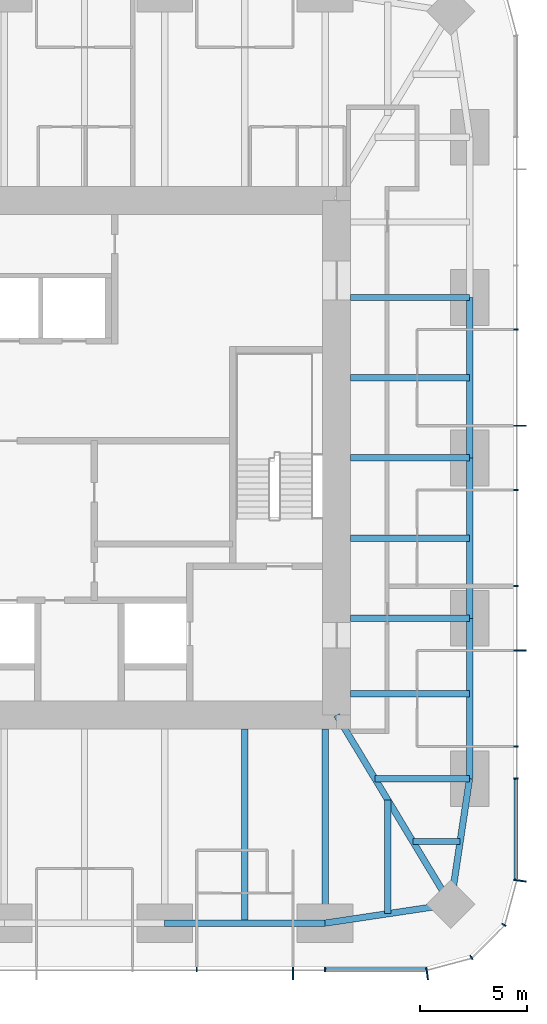
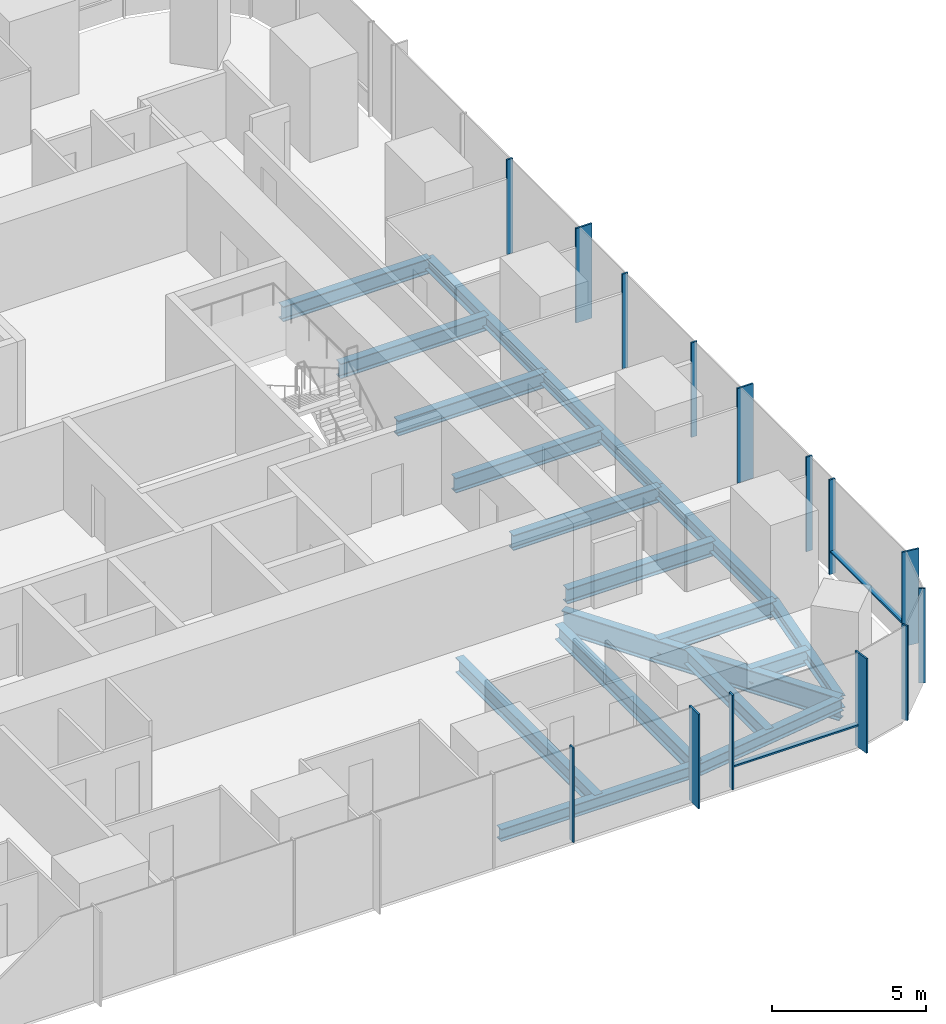
# One storey, part 4 of 12: 18 beams, 16 members, 3 elements without a shape of their own.
"""IFC4 building model written with IfcOpenShell, lengths in metres."""

from ifc_helpers import new_model, si_unit, direction, frame, origin, origin_2d, place, context, subcontext, project, spatial, rectangle, i_section, extrude, material, material_profile, profile_set, type_object, element, aggregate, save


model = new_model("IFC4")

# Units and contexts
model_context = context("Model", 3, precision=1e-05, world=origin(), true_north=direction((0.0, 1.0)))
body_context = subcontext(model_context, "Body", "Model", "MODEL_VIEW")
ifc_project = project(units=[si_unit("LENGTHUNIT", "METRE"), si_unit("AREAUNIT", "SQUARE_METRE"), si_unit("VOLUMEUNIT", "CUBIC_METRE"), si_unit("PLANEANGLEUNIT", "RADIAN"), si_unit("MASSUNIT", "GRAM", prefix="KILO")], contexts=[model_context])

# Site, building, storey
site_placement = place(None, origin())
site = spatial("IfcSite", under=ifc_project, at=site_placement, CompositionType="ELEMENT")
building_placement = place(site_placement, origin())
building = spatial("IfcBuilding", under=site, at=building_placement, Name="Khuree Lantern Residences", CompositionType="ELEMENT")
storey_placement = place(building_placement, frame((0.0, 0.0, 289.5)))
storey = spatial("IfcBuildingStorey", under=building, at=storey_placement, Name="L72", CompositionType="ELEMENT", Elevation=289.5)

# Beams
ifc_material_1 = material(Name="Steel S355", Category="steel")
ifc_material_profile_1 = material_profile(ifc_material_1, i_section(OverallWidth=0.300048828125, OverallDepth=0.590087890625, WebThickness=0.012939453125, FlangeThickness=0.02490234375, FilletRadius=0.027099609375, at=origin_2d()), Name="HE 600 A")
ifc_profile_set_1 = profile_set([ifc_material_profile_1], Name="Steel S355")
beam_type_1 = type_object("IfcBeamType", Name="B-41A SECONDARY BEAM HE 600 A", PredefinedType="BEAM", material=ifc_profile_set_1)
for number, where, z_axis, x_axis, name in (
    (1, (21.699951171875, 3.739990234375, -0.544921875), (-1.0, 0.0, 0.0), (0.0, -1.0, 0.0), "Secondary beam E3"),
    (2, (21.699951171875, -3.739990234375, -0.544921875), (-1.0, 0.0, 0.0), (0.0, -1.0, 0.0), "Secondary beam E4"),
    (3, (21.699951171875, -11.0, -0.544921875), (-1.0, 0.0, 0.0), (0.0, -1.0, 0.0), "Secondary beam E5"),
):
    element("IfcBeam", number, at=place(storey_placement, frame(where, z_axis=z_axis, x_axis=x_axis)), inside=storey, type_object=beam_type_1, Name=name, PredefinedType="BEAM", context=body_context, shape_type="SweptSolid", body=[
        extrude(i_section(OverallWidth=0.300048828125, OverallDepth=0.590087890625, WebThickness=0.012939453125, FlangeThickness=0.02490234375, FilletRadius=0.027099609375, at=origin_2d()), origin(), (0.0, 0.0, 1.0), 5.550048828125),
    ])
beam_1_placement = place(storey_placement, frame((21.2607421875, -17.890625, -0.544921875), z_axis=(-1.0, 0.0, 0.0), x_axis=(0.0, -1.0, 0.0)))
element("IfcBeam", 4, at=beam_1_placement, inside=storey, type_object=beam_type_1, Name="Secondary beam E6", PredefinedType="BEAM", context=body_context, shape_type="SweptSolid", body=[
    extrude(i_section(OverallWidth=0.300048828125, OverallDepth=0.590087890625, WebThickness=0.012939453125, FlangeThickness=0.02490234375, FilletRadius=0.027099609375, at=origin_2d()), origin(), (0.0, 0.0, 1.0), 2.207275390625),
])
beam_2_placement = place(storey_placement, frame((17.890625, -21.2607421875, -0.544921875), z_axis=(0.0, 1.0, 0.0), x_axis=(-1.0, 0.0, 0.0)))
element("IfcBeam", 5, at=beam_2_placement, inside=storey, type_object=beam_type_1, Name="Secondary beam S1", PredefinedType="BEAM", context=body_context, shape_type="SweptSolid", body=[
    extrude(i_section(OverallWidth=0.300048828125, OverallDepth=0.590087890625, WebThickness=0.012939453125, FlangeThickness=0.02490234375, FilletRadius=0.027099609375, at=origin_2d()), origin(), (0.0, 0.0, 1.0), 5.297607421875),
])
beam_3_placement = place(storey_placement, frame((11.219970703125, -21.699951171875, -0.544921875), z_axis=(0.0, 1.0, 0.0), x_axis=(-1.0, 0.0, 0.0)))
element("IfcBeam", 6, at=beam_3_placement, inside=storey, type_object=beam_type_1, Name="Secondary beam S2", PredefinedType="BEAM", context=body_context, shape_type="SweptSolid", body=[
    extrude(i_section(OverallWidth=0.300048828125, OverallDepth=0.590087890625, WebThickness=0.012939453125, FlangeThickness=0.02490234375, FilletRadius=0.027099609375, at=origin_2d()), origin(), (0.0, 0.0, 1.0), 9.050048828125),
])
ifc_material_profile_2 = material_profile(ifc_material_1, i_section(OverallWidth=0.300048828125, OverallDepth=0.489990234375, WebThickness=0.011962890625, FlangeThickness=0.02294921875, FilletRadius=0.027099609375, at=origin_2d()), Name="HE 500 A")
ifc_profile_set_2 = profile_set([ifc_material_profile_2], Name="Steel S355")
beam_type_2 = type_object("IfcBeamType", Name="E-41 SPANDREL BEAM HE 500 A", PredefinedType="SPANDREL", material=ifc_profile_set_2)
for number, where, z_axis, x_axis, name in (
    (7, (21.699951171875, 7.47998046875, -0.4951171875), (0.0, -1.0, 0.0), (1.0, 0.0, 0.0), "Spandrel beam E3"),
    (8, (21.699951171875, 0.0, -0.4951171875), (0.0, -1.0, 0.0), (1.0, 0.0, 0.0), "Spandrel beam E4"),
    (9, (21.699951171875, -7.47998046875, -0.4951171875), (0.0, -1.0, 0.0), (1.0, 0.0, 0.0), "Spandrel beam E5"),
):
    element("IfcBeam", number, at=place(storey_placement, frame(where, z_axis=z_axis, x_axis=x_axis)), inside=storey, type_object=beam_type_2, Name=name, PredefinedType="SPANDREL", context=body_context, shape_type="SweptSolid", body=[
        extrude(i_section(OverallWidth=0.300048828125, OverallDepth=0.489990234375, WebThickness=0.011962890625, FlangeThickness=0.02294921875, FilletRadius=0.027099609375, at=origin_2d()), origin(), (0.0, 0.0, 1.0), 7.47998046875),
    ])
for number, where, z_axis, x_axis, name in (
    (10, (21.699951171875, -14.9599609375, -0.4951171875), (-0.148251822985, -0.988949643299, 0.0), (0.988949643299, -0.148251822985, 0.0), "Spandrel beam E6"),
    (11, (20.8212890625, -20.8212890625, -0.4951171875), (-0.988949643299, -0.148251822985, 0.0), (0.148251822985, -0.988949643299, 0.0), "Spandrel beam S1"),
):
    element("IfcBeam", number, at=place(storey_placement, frame(where, z_axis=z_axis, x_axis=x_axis)), inside=storey, type_object=beam_type_2, Name=name, PredefinedType="SPANDREL", context=body_context, shape_type="SweptSolid", body=[
        extrude(i_section(OverallWidth=0.300048828125, OverallDepth=0.489990234375, WebThickness=0.011962890625, FlangeThickness=0.02294921875, FilletRadius=0.027099609375, at=origin_2d()), origin(), (0.0, 0.0, 1.0), 5.9267578125),
    ])
beam_4_placement = place(storey_placement, frame((14.9599609375, -21.699951171875, -0.4951171875), z_axis=(-1.0, 0.0, 0.0), x_axis=(0.0, -1.0, 0.0)))
element("IfcBeam", 12, at=beam_4_placement, inside=storey, type_object=beam_type_2, Name="Spandrel beam S2", PredefinedType="SPANDREL", context=body_context, shape_type="SweptSolid", body=[
    extrude(i_section(OverallWidth=0.300048828125, OverallDepth=0.489990234375, WebThickness=0.011962890625, FlangeThickness=0.02294921875, FilletRadius=0.027099609375, at=origin_2d()), origin(), (0.0, 0.0, 1.0), 7.47998046875),
])

# Curtain wall, member
ifc_material_2 = material(Name="Bronze anodised aluminium", Category="aluminium")
curtain_wall_type_1 = type_object("IfcCurtainWallType", Name="CW-T2 TOWER CORNER CURTAIN WALL", PredefinedType="USERDEFINED", material=ifc_material_2)
curtain_wall_1_placement = place(storey_placement, origin())
curtain_wall_1 = element("IfcCurtainWall", 13, at=curtain_wall_1_placement, inside=storey, type_object=curtain_wall_type_1, Name="L72 SOUTH-EAST CORNER CURTAIN WALL", ObjectType="Faceted corner curtain wall", PredefinedType="USERDEFINED")
ifc_material_profile_3 = material_profile(ifc_material_2, rectangle(XDim=0.06494140625, YDim=0.60009765625, at=origin_2d()), Name="F1 65X600")
ifc_profile_set_3 = profile_set([ifc_material_profile_3], Name="Bronze anodised aluminium")
member_type_1 = type_object("IfcMemberType", Name="F1 BRONZE FIN MULLION TOWER 65X600", PredefinedType="MULLION", material=ifc_profile_set_3)
member_1_placement = place(storey_placement, frame((19.7197265625, -24.050048828125, 0.0), z_axis=(0.0, 0.0, 1.0), x_axis=(0.991444870192, 0.130526125236, 0.0)))
member_1 = element("IfcMember", 14, at=member_1_placement, type_object=member_type_1, Name="L72 SOUTH-EAST CORNER FIN MULLION 1", PredefinedType="MULLION", context=body_context, shape_type="SweptSolid", body=[
    extrude(rectangle(XDim=0.06494140625, YDim=0.60009765625, at=origin_2d()), origin(), (0.0, 0.0, 1.0), 3.75),
])

# Curtain wall, members
curtain_wall_type_2 = type_object("IfcCurtainWallType", Name="CW-T1 TOWER FACE CURTAIN WALL", PredefinedType="USERDEFINED", material=ifc_material_2)
curtain_wall_2_placement = place(storey_placement, origin())
curtain_wall_2 = element("IfcCurtainWall", 15, at=curtain_wall_2_placement, inside=storey, type_object=curtain_wall_type_2, Name="L72 EAST FACE CURTAIN WALL", ObjectType="Stick-built curtain wall", PredefinedType="USERDEFINED")
member_2_placement = place(storey_placement, frame((24.050048828125, -19.7197265625, 0.0), z_axis=(0.0, 0.0, 1.0), x_axis=(0.130526125236, 0.991444870192, 0.0)))
member_2 = element("IfcMember", 16, at=member_2_placement, type_object=member_type_1, Name="L72 EAST FACE FIN MULLION 4", PredefinedType="MULLION", context=body_context, shape_type="SweptSolid", body=[
    extrude(rectangle(XDim=0.06494140625, YDim=0.60009765625, at=origin_2d()), origin(), (0.0, 0.0, 1.0), 3.75),
])
member_3_placement = place(storey_placement, frame((24.050048828125, -8.97607421875, 0.0), z_axis=(0.0, 0.0, 1.0), x_axis=(0.0, 1.0, 0.0)))
member_3 = element("IfcMember", 17, at=member_3_placement, type_object=member_type_1, Name="L72 EAST FACE FIN MULLION 7", PredefinedType="MULLION", context=body_context, shape_type="SweptSolid", body=[
    extrude(rectangle(XDim=0.06494140625, YDim=0.60009765625, at=origin_2d()), origin(), (0.0, 0.0, 1.0), 3.75),
])
member_4_placement = place(storey_placement, frame((24.050048828125, 1.49609375, 0.0), z_axis=(0.0, 0.0, 1.0), x_axis=(0.0, 1.0, 0.0)))
member_4 = element("IfcMember", 18, at=member_4_placement, type_object=member_type_1, Name="L72 EAST FACE FIN MULLION 10", PredefinedType="MULLION", context=body_context, shape_type="SweptSolid", body=[
    extrude(rectangle(XDim=0.06494140625, YDim=0.60009765625, at=origin_2d()), origin(), (0.0, 0.0, 1.0), 3.75),
])

# Curtain wall, member
curtain_wall_3_placement = place(storey_placement, origin())
curtain_wall_3 = element("IfcCurtainWall", 19, at=curtain_wall_3_placement, inside=storey, type_object=curtain_wall_type_2, Name="L72 SOUTH FACE CURTAIN WALL", ObjectType="Stick-built curtain wall", PredefinedType="USERDEFINED")
member_5_placement = place(storey_placement, frame((13.464111328125, -24.050048828125, 0.0), z_axis=(0.0, 0.0, 1.0), x_axis=(1.0, 0.0, 0.0)))
member_5 = element("IfcMember", 20, at=member_5_placement, type_object=member_type_1, Name="L72 SOUTH FACE FIN MULLION 55", PredefinedType="MULLION", context=body_context, shape_type="SweptSolid", body=[
    extrude(rectangle(XDim=0.06494140625, YDim=0.60009765625, at=origin_2d()), origin(), (0.0, 0.0, 1.0), 3.75),
])

# Beams
ifc_material_profile_4 = material_profile(ifc_material_1, i_section(OverallWidth=0.300048828125, OverallDepth=0.60009765625, WebThickness=0.015380859375, FlangeThickness=0.030029296875, FilletRadius=0.027099609375, at=origin_2d()), Name="HE 600 B")
ifc_profile_set_4 = profile_set([ifc_material_profile_4], Name="Steel S355")
beam_type_3 = type_object("IfcBeamType", Name="G-41 GIRDER HE 600 B", PredefinedType="BEAM", material=ifc_profile_set_4)
for number, where, z_axis, x_axis, name in (
    (21, (21.699951171875, 7.47998046875, -0.550048828125), (-1.0, 0.0, 0.0), (0.0, -1.0, 0.0), "Girder E2"),
    (22, (21.699951171875, 0.0, -0.550048828125), (-1.0, 0.0, 0.0), (0.0, -1.0, 0.0), "Girder E3"),
    (23, (21.699951171875, -7.47998046875, -0.550048828125), (-1.0, 0.0, 0.0), (0.0, -1.0, 0.0), "Girder E4"),
):
    element("IfcBeam", number, at=place(storey_placement, frame(where, z_axis=z_axis, x_axis=x_axis)), inside=storey, type_object=beam_type_3, Name=name, PredefinedType="BEAM", context=body_context, shape_type="SweptSolid", body=[
        extrude(i_section(OverallWidth=0.300048828125, OverallDepth=0.60009765625, WebThickness=0.015380859375, FlangeThickness=0.030029296875, FilletRadius=0.027099609375, at=origin_2d()), origin(), (0.0, 0.0, 1.0), 5.550048828125),
    ])
beam_5_placement = place(storey_placement, frame((21.699951171875, -14.9599609375, -0.550048828125), z_axis=(-1.0, 0.0, 0.0), x_axis=(0.0, -1.0, 0.0)))
element("IfcBeam", 24, at=beam_5_placement, inside=storey, type_object=beam_type_3, Name="Girder E5", PredefinedType="BEAM", context=body_context, shape_type="SweptSolid", body=[
    extrude(i_section(OverallWidth=0.300048828125, OverallDepth=0.60009765625, WebThickness=0.015380859375, FlangeThickness=0.030029296875, FilletRadius=0.027099609375, at=origin_2d()), origin(), (0.0, 0.0, 1.0), 4.414306640625),
])
beam_6_placement = place(storey_placement, frame((14.9599609375, -21.699951171875, -0.550048828125), z_axis=(0.0, 1.0, 0.0), x_axis=(-1.0, 0.0, 0.0)))
element("IfcBeam", 25, at=beam_6_placement, inside=storey, type_object=beam_type_3, Name="Girder S1", PredefinedType="BEAM", context=body_context, shape_type="SweptSolid", body=[
    extrude(i_section(OverallWidth=0.300048828125, OverallDepth=0.60009765625, WebThickness=0.015380859375, FlangeThickness=0.030029296875, FilletRadius=0.027099609375, at=origin_2d()), origin(), (0.0, 0.0, 1.0), 9.050048828125),
])
ifc_material_profile_5 = material_profile(ifc_material_1, i_section(OverallWidth=0.300048828125, OverallDepth=0.89990234375, WebThickness=0.0185546875, FlangeThickness=0.034912109375, FilletRadius=0.030029296875, at=origin_2d()), Name="HE 900 B")
ifc_profile_set_5 = profile_set([ifc_material_profile_5], Name="Steel S355")
beam_type_4 = type_object("IfcBeamType", Name="GD-41 CORNER GIRDER HE 900 B", PredefinedType="BEAM", material=ifc_profile_set_5)
beam_7_placement = place(storey_placement, frame((20.8212890625, -20.8212890625, -0.699951171875), z_axis=(-0.516529577604, 0.856269347495, 0.0), x_axis=(-0.856269347495, -0.516529577604, 0.0)))
element("IfcBeam", 26, at=beam_7_placement, inside=storey, type_object=beam_type_4, Name="Corner girder SE", PredefinedType="BEAM", context=body_context, shape_type="SweptSolid", body=[
    extrude(i_section(OverallWidth=0.300048828125, OverallDepth=0.89990234375, WebThickness=0.0185546875, FlangeThickness=0.034912109375, FilletRadius=0.030029296875, at=origin_2d()), origin(), (0.0, 0.0, 1.0), 10.302001953125),
])

# Member
ifc_material_profile_6 = material_profile(ifc_material_2, rectangle(XDim=0.06494140625, YDim=0.219970703125, at=origin_2d()), Name="M1 65X220")
ifc_profile_set_6 = profile_set([ifc_material_profile_6], Name="Bronze anodised aluminium")
member_type_2 = type_object("IfcMemberType", Name="M1 BRONZE MULLION TOWER 65X220", PredefinedType="MULLION", material=ifc_profile_set_6)
member_6_placement = place(storey_placement, frame((21.780029296875, -23.302734375, 0.0), z_axis=(0.0, 0.0, 1.0), x_axis=(0.866025437565, 0.49999994149, 0.0)))
member_6 = element("IfcMember", 27, at=member_6_placement, type_object=member_type_2, Name="L72 SOUTH-EAST CORNER MULLION 2", PredefinedType="MULLION", context=body_context, shape_type="SweptSolid", body=[
    extrude(rectangle(XDim=0.06494140625, YDim=0.219970703125, at=origin_2d()), origin(), (0.0, 0.0, 1.0), 3.75),
])

member_7_placement = place(storey_placement, frame((23.302734375, -21.780029296875, 0.0), z_axis=(0.0, 0.0, 1.0), x_axis=(0.49999994149, 0.866025437565, 0.0)))
member_7 = element("IfcMember", 28, at=member_7_placement, type_object=member_type_2, Name="L72 SOUTH-EAST CORNER MULLION 3", PredefinedType="MULLION", context=body_context, shape_type="SweptSolid", body=[
    extrude(rectangle(XDim=0.06494140625, YDim=0.219970703125, at=origin_2d()), origin(), (0.0, 0.0, 1.0), 3.75),
])

aggregate(curtain_wall_1, [member_1, member_6, member_7])

member_8_placement = place(storey_placement, frame((23.860107421875, -14.9599609375, 0.0), z_axis=(0.0, 0.0, 1.0), x_axis=(0.0, 1.0, 0.0)))
member_8 = element("IfcMember", 29, at=member_8_placement, type_object=member_type_2, Name="L72 EAST FACE MULLION 5", PredefinedType="MULLION", context=body_context, shape_type="SweptSolid", body=[
    extrude(rectangle(XDim=0.06494140625, YDim=0.219970703125, at=origin_2d()), origin(), (0.0, 0.0, 1.0), 3.75),
])

member_9_placement = place(storey_placement, frame((23.860107421875, -13.464111328125, 0.0), z_axis=(0.0, 0.0, 1.0), x_axis=(0.0, 1.0, 0.0)))
member_9 = element("IfcMember", 30, at=member_9_placement, type_object=member_type_2, Name="L72 EAST FACE MULLION 6", PredefinedType="MULLION", context=body_context, shape_type="SweptSolid", body=[
    extrude(rectangle(XDim=0.06494140625, YDim=0.219970703125, at=origin_2d()), origin(), (0.0, 0.0, 1.0), 3.75),
])

member_10_placement = place(storey_placement, frame((23.860107421875, -5.98388671875, 0.0), z_axis=(0.0, 0.0, 1.0), x_axis=(0.0, 1.0, 0.0)))
member_10 = element("IfcMember", 31, at=member_10_placement, type_object=member_type_2, Name="L72 EAST FACE MULLION 8", PredefinedType="MULLION", context=body_context, shape_type="SweptSolid", body=[
    extrude(rectangle(XDim=0.06494140625, YDim=0.219970703125, at=origin_2d()), origin(), (0.0, 0.0, 1.0), 3.75),
])

member_11_placement = place(storey_placement, frame((23.860107421875, -1.49609375, 0.0), z_axis=(0.0, 0.0, 1.0), x_axis=(0.0, 1.0, 0.0)))
member_11 = element("IfcMember", 32, at=member_11_placement, type_object=member_type_2, Name="L72 EAST FACE MULLION 9", PredefinedType="MULLION", context=body_context, shape_type="SweptSolid", body=[
    extrude(rectangle(XDim=0.06494140625, YDim=0.219970703125, at=origin_2d()), origin(), (0.0, 0.0, 1.0), 3.75),
])

member_12_placement = place(storey_placement, frame((23.860107421875, 5.98388671875, 0.0), z_axis=(0.0, 0.0, 1.0), x_axis=(0.0, 1.0, 0.0)))
member_12 = element("IfcMember", 33, at=member_12_placement, type_object=member_type_2, Name="L72 EAST FACE MULLION 11", PredefinedType="MULLION", context=body_context, shape_type="SweptSolid", body=[
    extrude(rectangle(XDim=0.06494140625, YDim=0.219970703125, at=origin_2d()), origin(), (0.0, 0.0, 1.0), 3.75),
])

member_13_placement = place(storey_placement, frame((8.97607421875, -23.860107421875, 0.0), z_axis=(0.0, 0.0, 1.0), x_axis=(1.0, 0.0, 0.0)))
member_13 = element("IfcMember", 34, at=member_13_placement, type_object=member_type_2, Name="L72 SOUTH FACE MULLION 54", PredefinedType="MULLION", context=body_context, shape_type="SweptSolid", body=[
    extrude(rectangle(XDim=0.06494140625, YDim=0.219970703125, at=origin_2d()), origin(), (0.0, 0.0, 1.0), 3.75),
])

member_14_placement = place(storey_placement, frame((14.9599609375, -23.860107421875, 0.0), z_axis=(0.0, 0.0, 1.0), x_axis=(1.0, 0.0, 0.0)))
member_14 = element("IfcMember", 35, at=member_14_placement, type_object=member_type_2, Name="L72 SOUTH FACE MULLION 56", PredefinedType="MULLION", context=body_context, shape_type="SweptSolid", body=[
    extrude(rectangle(XDim=0.06494140625, YDim=0.219970703125, at=origin_2d()), origin(), (0.0, 0.0, 1.0), 3.75),
])

ifc_material_profile_7 = material_profile(ifc_material_2, rectangle(XDim=0.179931640625, YDim=0.06494140625, at=origin_2d()), Name="T1 180X65")
ifc_profile_set_7 = profile_set([ifc_material_profile_7], Name="Bronze anodised aluminium")
member_type_3 = type_object("IfcMemberType", Name="TRANSOM T1 TOWER 180X65", PredefinedType="USERDEFINED", material=ifc_profile_set_7)
member_15_placement = place(storey_placement, frame((23.8701171875, -19.6513671875, 0.89990234375), z_axis=(0.0, 1.0, 0.0), x_axis=(-1.0, 0.0, 0.0)))
member_15 = element("IfcMember", 36, at=member_15_placement, type_object=member_type_3, Name="L72 EAST FACE TRANSOM 4.1", ObjectType="Transom", PredefinedType="USERDEFINED", context=body_context, shape_type="SweptSolid", body=[
    extrude(rectangle(XDim=0.179931640625, YDim=0.06494140625, at=origin_2d()), origin(), (0.0, 0.0, 1.0), 4.658935546875),
])

aggregate(curtain_wall_2, [member_2, member_8, member_9, member_3, member_10, member_11, member_4, member_12, member_15])

member_16_placement = place(storey_placement, frame((14.992431640625, -23.8701171875, 0.89990234375), z_axis=(1.0, 0.0, 0.0), x_axis=(0.0, 1.0, 0.0)))
member_16 = element("IfcMember", 37, at=member_16_placement, type_object=member_type_3, Name="L72 SOUTH FACE TRANSOM 56.1", ObjectType="Transom", PredefinedType="USERDEFINED", context=body_context, shape_type="SweptSolid", body=[
    extrude(rectangle(XDim=0.179931640625, YDim=0.06494140625, at=origin_2d()), origin(), (0.0, 0.0, 1.0), 4.658935546875),
])

aggregate(curtain_wall_3, [member_13, member_5, member_14, member_16])

save(model, "model.ifc")
